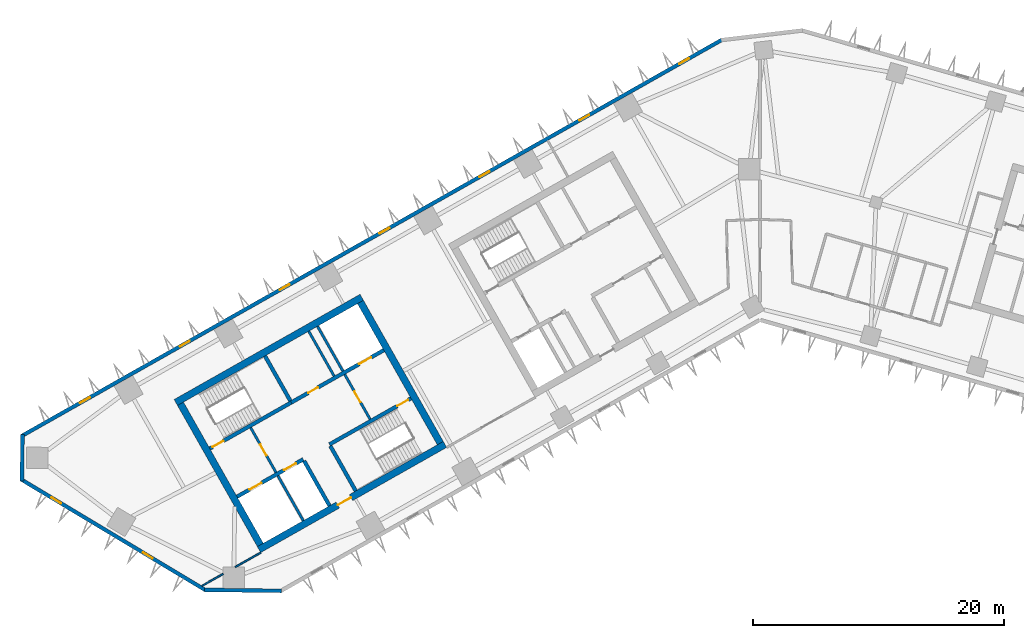
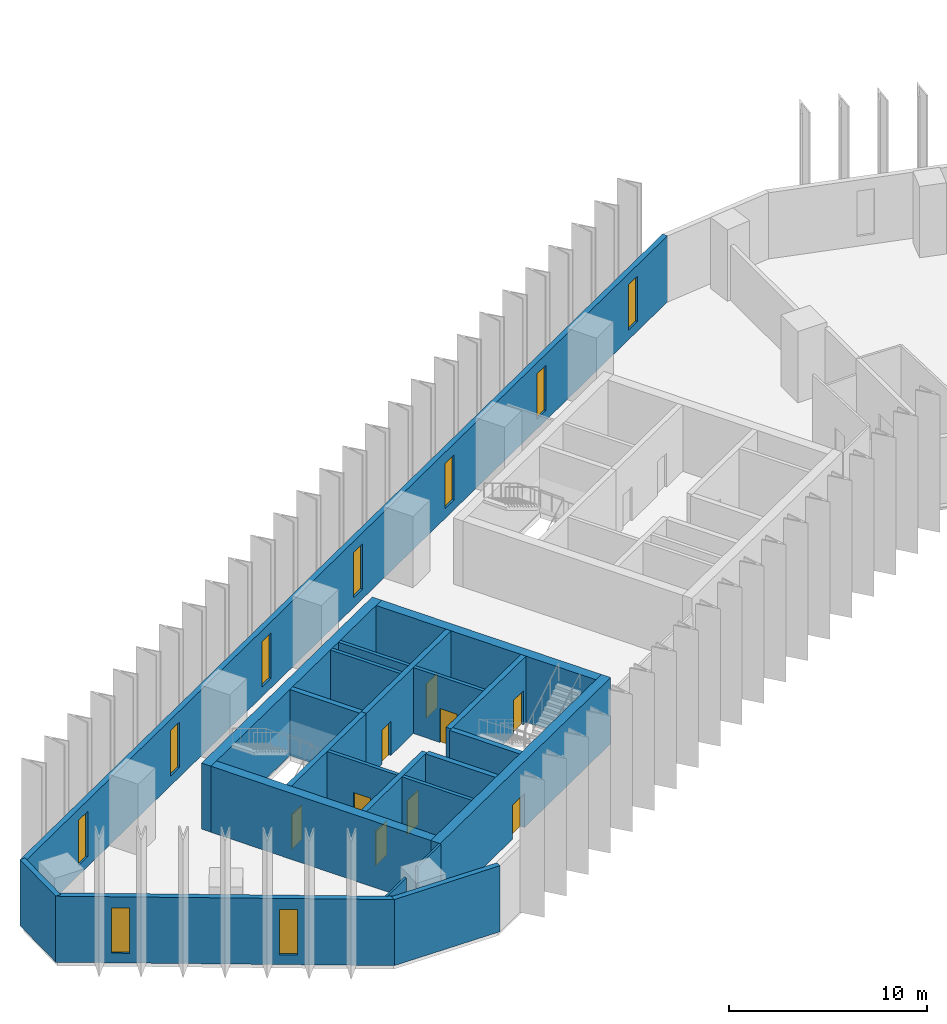
# One storey, part 3 of 11: 22 walls, 9 doors, 9 windows, 18 openings.
"""IFC4 building model written with IfcOpenShell, lengths in metres."""

from ifc_helpers import new_model, si_unit, direction, frame, frame_2d, origin, place, context, subcontext, project, spatial, rectangle, extrude, material, layer, layer_set, type_object, element, fill, save


model = new_model("IFC4")

# Units and contexts
model_context = context("Model", 3, precision=1e-05, world=origin(), true_north=direction((0.0, 1.0)))
body_context = subcontext(model_context, "Body", "Model", "MODEL_VIEW")
ifc_project = project(units=[si_unit("LENGTHUNIT", "METRE"), si_unit("AREAUNIT", "SQUARE_METRE"), si_unit("VOLUMEUNIT", "CUBIC_METRE"), si_unit("PLANEANGLEUNIT", "RADIAN"), si_unit("MASSUNIT", "GRAM", prefix="KILO")], contexts=[model_context])

# Site, building, storey
site_placement = place(None, origin())
site = spatial("IfcSite", under=ifc_project, at=site_placement, CompositionType="ELEMENT")
building_placement = place(site_placement, origin())
building = spatial("IfcBuilding", under=site, at=building_placement, Name="Binnacle Exchange Tower", CompositionType="ELEMENT")
storey_placement = place(building_placement, frame((0.0, 0.0, 123.5)))
storey = spatial("IfcBuildingStorey", under=building, at=storey_placement, Name="L25", CompositionType="ELEMENT", Elevation=123.5)

# Wall, openings, doors
ifc_material_1 = material(Name="Concrete C70/85", Category="concrete")
ifc_layer_1 = layer(ifc_material_1, 0.300048828125)
ifc_layer_set_1 = layer_set([ifc_layer_1], Name="Core wall - front 300")
wall_type_1 = type_object("IfcWallType", Name="Core wall - front 300", PredefinedType="SOLIDWALL", material=ifc_layer_set_1)
wall_1_placement = place(storey_placement, frame((-41.599609375, 33.936279296875, 0.0), z_axis=(0.0, 0.0, 1.0), x_axis=(0.870348557882, 0.492436176365, 0.0)))
wall_1 = element("IfcWall", 1, at=wall_1_placement, inside=storey, type_object=wall_type_1, Name="Core wall CRWA2", PredefinedType="SOLIDWALL", context=body_context, shape_type="SweptSolid", body=[
    extrude(rectangle(XDim=6.050048828125, YDim=0.300048828125, at=frame_2d((3.02490234375, 0.0))), origin(), (0.0, 0.0, 1.0), 4.080078125),
])
opening_1_placement = place(wall_1_placement, frame((1.14990234375, 0.0, 0.0)))
opening_1 = element("IfcOpeningElement", 2, at=opening_1_placement, cuts=wall_1, Name="Opening LD12", PredefinedType="OPENING", context=body_context, shape_type="SweptSolid", body=[
    extrude(rectangle(XDim=1.10009765625, YDim=2.10009765625, at=frame_2d((0.550048828125, 1.050048828125))), frame((0.0, 0.159912109375, 0.0), z_axis=(0.0, -1.0, 0.0), x_axis=(1.0, 0.0, 0.0)), (0.0, 0.0, 1.0), 0.320068359375),
])
opening_2_placement = place(wall_1_placement, frame((4.300048828125, 0.0, 0.0)))
opening_2 = element("IfcOpeningElement", 3, at=opening_2_placement, cuts=wall_1, Name="Opening LD8", PredefinedType="OPENING", context=body_context, shape_type="SweptSolid", body=[
    extrude(rectangle(XDim=1.10009765625, YDim=2.10009765625, at=frame_2d((0.550048828125, 1.050048828125))), frame((0.0, 0.159912109375, 0.0), z_axis=(0.0, -1.0, 0.0), x_axis=(1.0, 0.0, 0.0)), (0.0, 0.0, 1.0), 0.320068359375),
])
ifc_material_2 = material(Name="Steel door leaf", Category="steel")
door_type_1 = type_object("IfcDoorType", Name="Fire door - lift landing 1100", OperationType="NOTDEFINED", PredefinedType="DOOR", material=ifc_material_2)
door_1_placement = place(opening_1_placement, origin())
door_1 = element("IfcDoor", 4, at=door_1_placement, inside=storey, type_object=door_type_1, Name="Landing door LD12 L25", OperationType="DOUBLE_DOOR_SLIDING", OverallHeight=2.10009765625, OverallWidth=1.10009765625, PredefinedType="DOOR", context=body_context, shape_type="SweptSolid", body=[
    extrude(rectangle(XDim=1.10009765625, YDim=2.10009765625, at=frame_2d((0.550048828125, 1.050048828125))), frame((0.0, 0.02490234375, 0.0), z_axis=(0.0, -1.0, 0.0), x_axis=(1.0, 0.0, 0.0)), (0.0, 0.0, 1.0), 0.050048828125),
])
fill(opening_1, door_1)
door_2_placement = place(opening_2_placement, origin())
door_2 = element("IfcDoor", 5, at=door_2_placement, inside=storey, type_object=door_type_1, Name="Landing door LD8 L25", OperationType="DOUBLE_DOOR_SLIDING", OverallHeight=2.10009765625, OverallWidth=1.10009765625, PredefinedType="DOOR", context=body_context, shape_type="SweptSolid", body=[
    extrude(rectangle(XDim=1.10009765625, YDim=2.10009765625, at=frame_2d((0.550048828125, 1.050048828125))), frame((0.0, 0.02490234375, 0.0), z_axis=(0.0, -1.0, 0.0), x_axis=(1.0, 0.0, 0.0)), (0.0, 0.0, 1.0), 0.050048828125),
])
fill(opening_2, door_2)

wall_2_placement = place(storey_placement, frame((-37.281982421875, 41.4345703125, 0.0), z_axis=(0.0, 0.0, 1.0), x_axis=(0.870359895813, 0.492416136779, 0.0)))
wall_2 = element("IfcWall", 6, at=wall_2_placement, inside=storey, type_object=wall_type_1, Name="Core wall CRWA5", PredefinedType="SOLIDWALL", context=body_context, shape_type="SweptSolid", body=[
    extrude(rectangle(XDim=8.449951171875, YDim=0.300048828125, at=frame_2d((4.22509765625, 0.0))), origin(), (0.0, 0.0, 1.0), 4.080078125),
])
opening_3_placement = place(wall_2_placement, frame((6.199951171875, 0.0, 0.0)))
opening_3 = element("IfcOpeningElement", 7, at=opening_3_placement, cuts=wall_2, Name="Opening LD13", PredefinedType="OPENING", context=body_context, shape_type="SweptSolid", body=[
    extrude(rectangle(XDim=1.10009765625, YDim=2.10009765625, at=frame_2d((0.550048828125, 1.050048828125))), frame((0.0, 0.159912109375, 0.0), z_axis=(0.0, -1.0, 0.0), x_axis=(1.0, 0.0, 0.0)), (0.0, 0.0, 1.0), 0.320068359375),
])
opening_4_placement = place(wall_2_placement, frame((1.550048828125, 0.0, 0.0)))
opening_4 = element("IfcOpeningElement", 8, at=opening_4_placement, cuts=wall_2, Name="Opening DA10", PredefinedType="OPENING", context=body_context, shape_type="SweptSolid", body=[
    extrude(rectangle(XDim=0.89990234375, YDim=2.10009765625, at=frame_2d((0.449951171875, 1.050048828125))), frame((0.0, 0.159912109375, 0.0), z_axis=(0.0, -1.0, 0.0), x_axis=(1.0, 0.0, 0.0)), (0.0, 0.0, 1.0), 0.320068359375),
])
door_3_placement = place(opening_3_placement, origin())
door_3 = element("IfcDoor", 9, at=door_3_placement, inside=storey, type_object=door_type_1, Name="Landing door LD13 L25", OperationType="DOUBLE_DOOR_SLIDING", OverallHeight=2.10009765625, OverallWidth=1.10009765625, PredefinedType="DOOR", context=body_context, shape_type="SweptSolid", body=[
    extrude(rectangle(XDim=1.10009765625, YDim=2.10009765625, at=frame_2d((0.550048828125, 1.050048828125))), frame((0.0, 0.02490234375, 0.0), z_axis=(0.0, -1.0, 0.0), x_axis=(1.0, 0.0, 0.0)), (0.0, 0.0, 1.0), 0.050048828125),
])
fill(opening_3, door_3)
door_type_2 = type_object("IfcDoorType", Name="Fire door 900", OperationType="NOTDEFINED", PredefinedType="DOOR", material=ifc_material_2)
door_4_placement = place(opening_4_placement, origin())
door_4 = element("IfcDoor", 10, at=door_4_placement, inside=storey, type_object=door_type_2, Name="Core room door TELECOM RISER ROOM", OperationType="SINGLE_SWING_LEFT", OverallHeight=2.10009765625, OverallWidth=0.89990234375, PredefinedType="DOOR", context=body_context, shape_type="SweptSolid", body=[
    extrude(rectangle(XDim=0.89990234375, YDim=2.10009765625, at=frame_2d((0.449951171875, 1.050048828125))), frame((0.0, 0.02490234375, 0.0), z_axis=(0.0, -1.0, 0.0), x_axis=(1.0, 0.0, 0.0)), (0.0, 0.0, 1.0), 0.050048828125),
])
fill(opening_4, door_4)

# Wall
wall_3_placement = place(storey_placement, frame((-36.260009765625, 36.784912109375, 0.0), z_axis=(0.0, 0.0, 1.0), x_axis=(0.492408451753, -0.87036424366, 0.0)))
element("IfcWall", 11, at=wall_3_placement, inside=storey, type_object=wall_type_1, Name="Core wall CRWA13", PredefinedType="SOLIDWALL", context=body_context, shape_type="SweptSolid", body=[
    extrude(rectangle(XDim=4.099853515625, YDim=0.300048828125, at=frame_2d((2.0498046875, 0.0))), origin(), (0.0, 0.0, 1.0), 4.080078125),
])

# Wall, opening, door
ifc_layer_2 = layer(ifc_material_1, 0.550048828125)
ifc_layer_set_2 = layer_set([ifc_layer_2], Name="Core wall - outer 550")
wall_type_2 = type_object("IfcWallType", Name="Core wall - outer 550", PredefinedType="SOLIDWALL", material=ifc_layer_set_2)
wall_4_placement = place(storey_placement, frame((-39.85009765625, 29.727294921875, 0.0), z_axis=(0.0, 0.0, 1.0), x_axis=(0.870359753402, 0.492416388494, 0.0)))
wall_4 = element("IfcWall", 12, at=wall_4_placement, inside=storey, type_object=wall_type_2, Name="Core wall CRWA1", PredefinedType="SOLIDWALL", context=body_context, shape_type="SweptSolid", body=[
    extrude(rectangle(XDim=17.0, YDim=0.550048828125, at=frame_2d((8.5, 0.0))), origin(), (0.0, 0.0, 1.0), 4.080078125),
])
opening_5_placement = place(wall_4_placement, frame((7.199951171875, 0.0, 0.0)))
opening_5 = element("IfcOpeningElement", 13, at=opening_5_placement, cuts=wall_4, Name="Opening DA7", PredefinedType="OPENING", context=body_context, shape_type="SweptSolid", body=[
    extrude(rectangle(XDim=1.199951171875, YDim=2.10009765625, at=frame_2d((0.60009765625, 1.050048828125))), frame((0.0, 0.284912109375, 0.0), z_axis=(0.0, -1.0, 0.0), x_axis=(1.0, 0.0, 0.0)), (0.0, 0.0, 1.0), 0.570068359375),
])
door_type_3 = type_object("IfcDoorType", Name="Fire door 1200", OperationType="NOTDEFINED", PredefinedType="DOOR", material=ifc_material_2)
door_5_placement = place(opening_5_placement, frame((1.199951171875, 0.0, 0.0), z_axis=(0.0, 0.0, 1.0), x_axis=(-1.0, 0.0, 0.0)))
door_5 = element("IfcDoor", 14, at=door_5_placement, inside=storey, type_object=door_type_3, Name="Lift lobby entrance door core A", OperationType="SINGLE_SWING_RIGHT", OverallHeight=2.10009765625, OverallWidth=1.199951171875, PredefinedType="DOOR", context=body_context, shape_type="SweptSolid", body=[
    extrude(rectangle(XDim=1.199951171875, YDim=2.10009765625, at=frame_2d((0.60009765625, 1.050048828125))), frame((0.0, 0.02490234375, 0.0), z_axis=(0.0, -1.0, 0.0), x_axis=(1.0, 0.0, 0.0)), (0.0, 0.0, 1.0), 0.050048828125),
])
fill(opening_5, door_5)

# Walls
wall_5_placement = place(storey_placement, frame((-46.47314453125, 41.43359375, 0.0), z_axis=(0.0, 0.0, 1.0), x_axis=(0.870359753402, 0.492416388494, 0.0)))
element("IfcWall", 15, at=wall_5_placement, inside=storey, type_object=wall_type_2, Name="Core wall CRWA6", PredefinedType="SOLIDWALL", context=body_context, shape_type="SweptSolid", body=[
    extrude(rectangle(XDim=17.0, YDim=0.550048828125, at=frame_2d((8.5, 0.0))), origin(), (0.0, 0.0, 1.0), 4.080078125),
])
wall_6_placement = place(storey_placement, frame((-46.098388671875, 41.32958984375, 0.0), z_axis=(0.0, 0.0, 1.0), x_axis=(0.492418910884, -0.870358326325, 0.0)))
element("IfcWall", 16, at=wall_6_placement, inside=storey, type_object=wall_type_2, Name="Core wall CRWA7", PredefinedType="SOLIDWALL", context=body_context, shape_type="SweptSolid", body=[
    extrude(rectangle(XDim=12.900146484375, YDim=0.550048828125, at=frame_2d((6.4501953125, 0.0))), origin(), (0.0, 0.0, 1.0), 4.080078125),
])
wall_7_placement = place(storey_placement, frame((-31.781005859375, 49.429931640625, 0.0), z_axis=(0.0, 0.0, 1.0), x_axis=(0.492427022044, -0.870353737259, 0.0)))
element("IfcWall", 17, at=wall_7_placement, inside=storey, type_object=wall_type_2, Name="Core wall CRWA22", PredefinedType="SOLIDWALL", context=body_context, shape_type="SweptSolid", body=[
    extrude(rectangle(XDim=12.89990234375, YDim=0.550048828125, at=frame_2d((6.449951171875, 0.0))), origin(), (0.0, 0.0, 1.0), 4.080078125),
])

# Wall, opening, door
ifc_layer_3 = layer(ifc_material_1, 0.300048828125)
ifc_layer_set_3 = layer_set([ifc_layer_3], Name="Core wall - stair 300")
wall_type_3 = type_object("IfcWallType", Name="Core wall - stair 300", PredefinedType="SOLIDWALL", material=ifc_layer_set_3)
wall_8_placement = place(storey_placement, frame((-34.2451171875, 38.097412109375, 0.0), z_axis=(0.0, 0.0, 1.0), x_axis=(0.870360741098, 0.49241464271, 0.0)))
wall_8 = element("IfcWall", 18, at=wall_8_placement, inside=storey, type_object=wall_type_3, Name="Core wall CRWA3", PredefinedType="SOLIDWALL", context=body_context, shape_type="SweptSolid", body=[
    extrude(rectangle(XDim=7.449951171875, YDim=0.300048828125, at=frame_2d((3.72509765625, 0.0))), origin(), (0.0, 0.0, 1.0), 4.080078125),
])
opening_6_placement = place(wall_8_placement, frame((6.199951171875, 0.0, 0.0)))
opening_6 = element("IfcOpeningElement", 19, at=opening_6_placement, cuts=wall_8, Name="Opening DA2", PredefinedType="OPENING", context=body_context, shape_type="SweptSolid", body=[
    extrude(rectangle(XDim=1.0, YDim=2.10009765625, at=frame_2d((0.5, 1.050048828125))), frame((0.0, 0.159912109375, 0.0), z_axis=(0.0, -1.0, 0.0), x_axis=(1.0, 0.0, 0.0)), (0.0, 0.0, 1.0), 0.320068359375),
])
door_type_4 = type_object("IfcDoorType", Name="Fire door 1000", OperationType="NOTDEFINED", PredefinedType="DOOR", material=ifc_material_2)
door_6_placement = place(opening_6_placement, frame((1.0, 0.0, 0.0), z_axis=(0.0, 0.0, 1.0), x_axis=(-1.0, 0.0, 0.0)))
door_6 = element("IfcDoor", 20, at=door_6_placement, inside=storey, type_object=door_type_4, Name="Stair door ST-A2", OperationType="SINGLE_SWING_LEFT", OverallHeight=2.10009765625, OverallWidth=1.0, PredefinedType="DOOR", context=body_context, shape_type="SweptSolid", body=[
    extrude(rectangle(XDim=1.0, YDim=2.10009765625, at=frame_2d((0.5, 1.050048828125))), frame((0.0, 0.02490234375, 0.0), z_axis=(0.0, -1.0, 0.0), x_axis=(1.0, 0.0, 0.0)), (0.0, 0.0, 1.0), 0.050048828125),
])
fill(opening_6, door_6)

wall_9_placement = place(storey_placement, frame((-43.76611328125, 37.765869140625, 0.0), z_axis=(0.0, 0.0, 1.0), x_axis=(0.870346696097, 0.492439466932, 0.0)))
wall_9 = element("IfcWall", 21, at=wall_9_placement, inside=storey, type_object=wall_type_3, Name="Core wall CRWA4", PredefinedType="SOLIDWALL", context=body_context, shape_type="SweptSolid", body=[
    extrude(rectangle(XDim=7.449951171875, YDim=0.300048828125, at=frame_2d((3.72509765625, 0.0))), origin(), (0.0, 0.0, 1.0), 4.080078125),
])
opening_7_placement = place(wall_9_placement, frame((0.25, 0.0, 0.0)))
opening_7 = element("IfcOpeningElement", 22, at=opening_7_placement, cuts=wall_9, Name="Opening DA1", PredefinedType="OPENING", context=body_context, shape_type="SweptSolid", body=[
    extrude(rectangle(XDim=1.0, YDim=2.10009765625, at=frame_2d((0.5, 1.050048828125))), frame((0.0, 0.159912109375, 0.0), z_axis=(0.0, -1.0, 0.0), x_axis=(1.0, 0.0, 0.0)), (0.0, 0.0, 1.0), 0.320068359375),
])
door_7_placement = place(opening_7_placement, origin())
door_7 = element("IfcDoor", 23, at=door_7_placement, inside=storey, type_object=door_type_4, Name="Stair door ST-A1", OperationType="SINGLE_SWING_LEFT", OverallHeight=2.10009765625, OverallWidth=1.0, PredefinedType="DOOR", context=body_context, shape_type="SweptSolid", body=[
    extrude(rectangle(XDim=1.0, YDim=2.10009765625, at=frame_2d((0.5, 1.050048828125))), frame((0.0, 0.02490234375, 0.0), z_axis=(0.0, -1.0, 0.0), x_axis=(1.0, 0.0, 0.0)), (0.0, 0.0, 1.0), 0.050048828125),
])
fill(opening_7, door_7)

# Walls
for number, where, z_axis, x_axis, name in (
    (24, (-39.375, 45.133544921875, 0.0), (0.0, 0.0, 1.0), (0.492428039142, -0.870353161807, 0.0), "Core wall CRWA14"),
    (25, (-34.171142578125, 37.966796875, 0.0), (0.0, 0.0, 1.0), (0.492382931784, -0.870378681085, 0.0), "Core wall CRWA16"),
):
    element("IfcWall", number, at=place(storey_placement, frame(where, z_axis=z_axis, x_axis=x_axis)), inside=storey, type_object=wall_type_3, Name=name, PredefinedType="SOLIDWALL", context=body_context, shape_type="SweptSolid", body=[
        extrude(rectangle(XDim=4.10009765625, YDim=0.300048828125, at=frame_2d((2.050048828125, 0.0))), origin(), (0.0, 0.0, 1.0), 4.080078125),
    ])

# Wall, openings, windows
ifc_material_3 = material(Name="Bronze aluminium cladding", Category="aluminium")
ifc_layer_4 = layer(ifc_material_3, 0.300048828125)
ifc_layer_set_4 = layer_set([ifc_layer_4], Name="External wall - spandrel 300")
wall_type_4 = type_object("IfcWallType", Name="External wall - spandrel 300", PredefinedType="STANDARD", material=ifc_layer_set_4)
wall_10_placement = place(storey_placement, frame((-58.744873046875, 38.763671875, 0.0), z_axis=(0.0, 0.0, 1.0), x_axis=(0.870355811726, 0.492423355453, 0.0)))
wall_10 = element("IfcWall", 26, at=wall_10_placement, inside=storey, type_object=wall_type_4, Name="External wall EW-F03 L25", PredefinedType="STANDARD", context=body_context, shape_type="SweptSolid", body=[
    extrude(rectangle(XDim=64.025390625, YDim=0.300048828125, at=frame_2d((32.0126953125, 0.0))), origin(), (0.0, 0.0, 1.0), 4.080078125),
])
opening_8_placement = place(wall_10_placement, frame((60.12158203125, 0.0, 0.60009765625)))
opening_8 = element("IfcOpeningElement", 27, at=opening_8_placement, cuts=wall_10, Name="Opening WS2", PredefinedType="OPENING", context=body_context, shape_type="SweptSolid", body=[
    extrude(rectangle(XDim=0.89990234375, YDim=2.800048828125, at=frame_2d((0.449951171875, 1.39990234375))), frame((0.0, 0.159912109375, 0.0), z_axis=(0.0, -1.0, 0.0), x_axis=(1.0, 0.0, 0.0)), (0.0, 0.0, 1.0), 0.320068359375),
])
opening_9_placement = place(wall_10_placement, frame((50.99169921875, 0.0, 0.60009765625)))
opening_9 = element("IfcOpeningElement", 28, at=opening_9_placement, cuts=wall_10, Name="Opening WS2", PredefinedType="OPENING", context=body_context, shape_type="SweptSolid", body=[
    extrude(rectangle(XDim=0.89990234375, YDim=2.800048828125, at=frame_2d((0.449951171875, 1.39990234375))), frame((0.0, 0.159912109375, 0.0), z_axis=(0.0, -1.0, 0.0), x_axis=(1.0, 0.0, 0.0)), (0.0, 0.0, 1.0), 0.320068359375),
])
opening_10_placement = place(wall_10_placement, frame((41.86181640625, 0.0, 0.60009765625)))
opening_10 = element("IfcOpeningElement", 29, at=opening_10_placement, cuts=wall_10, Name="Opening WS2", PredefinedType="OPENING", context=body_context, shape_type="SweptSolid", body=[
    extrude(rectangle(XDim=0.89990234375, YDim=2.800048828125, at=frame_2d((0.449951171875, 1.39990234375))), frame((0.0, 0.159912109375, 0.0), z_axis=(0.0, -1.0, 0.0), x_axis=(1.0, 0.0, 0.0)), (0.0, 0.0, 1.0), 0.320068359375),
])
opening_11_placement = place(wall_10_placement, frame((32.73193359375, 0.0, 0.60009765625)))
opening_11 = element("IfcOpeningElement", 30, at=opening_11_placement, cuts=wall_10, Name="Opening WS2", PredefinedType="OPENING", context=body_context, shape_type="SweptSolid", body=[
    extrude(rectangle(XDim=0.89990234375, YDim=2.800048828125, at=frame_2d((0.449951171875, 1.39990234375))), frame((0.0, 0.159912109375, 0.0), z_axis=(0.0, -1.0, 0.0), x_axis=(1.0, 0.0, 0.0)), (0.0, 0.0, 1.0), 0.320068359375),
])
opening_12_placement = place(wall_10_placement, frame((23.60205078125, 0.0, 0.60009765625)))
opening_12 = element("IfcOpeningElement", 31, at=opening_12_placement, cuts=wall_10, Name="Opening WS2", PredefinedType="OPENING", context=body_context, shape_type="SweptSolid", body=[
    extrude(rectangle(XDim=0.89990234375, YDim=2.800048828125, at=frame_2d((0.449951171875, 1.39990234375))), frame((0.0, 0.159912109375, 0.0), z_axis=(0.0, -1.0, 0.0), x_axis=(1.0, 0.0, 0.0)), (0.0, 0.0, 1.0), 0.320068359375),
])
opening_13_placement = place(wall_10_placement, frame((14.47216796875, 0.0, 0.60009765625)))
opening_13 = element("IfcOpeningElement", 32, at=opening_13_placement, cuts=wall_10, Name="Opening WS2", PredefinedType="OPENING", context=body_context, shape_type="SweptSolid", body=[
    extrude(rectangle(XDim=0.89990234375, YDim=2.800048828125, at=frame_2d((0.449951171875, 1.39990234375))), frame((0.0, 0.159912109375, 0.0), z_axis=(0.0, -1.0, 0.0), x_axis=(1.0, 0.0, 0.0)), (0.0, 0.0, 1.0), 0.320068359375),
])
opening_14_placement = place(wall_10_placement, frame((5.34228515625, 0.0, 0.60009765625)))
opening_14 = element("IfcOpeningElement", 33, at=opening_14_placement, cuts=wall_10, Name="Opening WS2", PredefinedType="OPENING", context=body_context, shape_type="SweptSolid", body=[
    extrude(rectangle(XDim=0.89990234375, YDim=2.800048828125, at=frame_2d((0.449951171875, 1.39990234375))), frame((0.0, 0.159912109375, 0.0), z_axis=(0.0, -1.0, 0.0), x_axis=(1.0, 0.0, 0.0)), (0.0, 0.0, 1.0), 0.320068359375),
])
ifc_material_4 = material(Name="Bronze anodised aluminium frame", Category="aluminium")
window_type = type_object("IfcWindowType", Name="WS2 WINDOW 900x2800", PartitioningType="SINGLE_PANEL", PredefinedType="WINDOW", material=ifc_material_4)
window_1_placement = place(opening_8_placement, origin())
window_1 = element("IfcWindow", 34, at=window_1_placement, inside=storey, type_object=window_type, Name="Window WS2 L25", OverallHeight=2.800048828125, OverallWidth=0.89990234375, PartitioningType="SINGLE_PANEL", PredefinedType="WINDOW", context=body_context, shape_type="SweptSolid", body=[
    extrude(rectangle(XDim=0.89990234375, YDim=2.800048828125, at=frame_2d((0.449951171875, 1.39990234375))), frame((0.0, 0.030029296875, 0.0), z_axis=(0.0, -1.0, 0.0), x_axis=(1.0, 0.0, 0.0)), (0.0, 0.0, 1.0), 0.06005859375),
])
fill(opening_8, window_1)
window_2_placement = place(opening_9_placement, origin())
window_2 = element("IfcWindow", 35, at=window_2_placement, inside=storey, type_object=window_type, Name="Window WS2 L25", OverallHeight=2.800048828125, OverallWidth=0.89990234375, PartitioningType="SINGLE_PANEL", PredefinedType="WINDOW", context=body_context, shape_type="SweptSolid", body=[
    extrude(rectangle(XDim=0.89990234375, YDim=2.800048828125, at=frame_2d((0.449951171875, 1.39990234375))), frame((0.0, 0.030029296875, 0.0), z_axis=(0.0, -1.0, 0.0), x_axis=(1.0, 0.0, 0.0)), (0.0, 0.0, 1.0), 0.06005859375),
])
fill(opening_9, window_2)
window_3_placement = place(opening_10_placement, origin())
window_3 = element("IfcWindow", 36, at=window_3_placement, inside=storey, type_object=window_type, Name="Window WS2 L25", OverallHeight=2.800048828125, OverallWidth=0.89990234375, PartitioningType="SINGLE_PANEL", PredefinedType="WINDOW", context=body_context, shape_type="SweptSolid", body=[
    extrude(rectangle(XDim=0.89990234375, YDim=2.800048828125, at=frame_2d((0.449951171875, 1.39990234375))), frame((0.0, 0.030029296875, 0.0), z_axis=(0.0, -1.0, 0.0), x_axis=(1.0, 0.0, 0.0)), (0.0, 0.0, 1.0), 0.06005859375),
])
fill(opening_10, window_3)
window_4_placement = place(opening_11_placement, origin())
window_4 = element("IfcWindow", 37, at=window_4_placement, inside=storey, type_object=window_type, Name="Window WS2 L25", OverallHeight=2.800048828125, OverallWidth=0.89990234375, PartitioningType="SINGLE_PANEL", PredefinedType="WINDOW", context=body_context, shape_type="SweptSolid", body=[
    extrude(rectangle(XDim=0.89990234375, YDim=2.800048828125, at=frame_2d((0.449951171875, 1.39990234375))), frame((0.0, 0.030029296875, 0.0), z_axis=(0.0, -1.0, 0.0), x_axis=(1.0, 0.0, 0.0)), (0.0, 0.0, 1.0), 0.06005859375),
])
fill(opening_11, window_4)
window_5_placement = place(opening_12_placement, origin())
window_5 = element("IfcWindow", 38, at=window_5_placement, inside=storey, type_object=window_type, Name="Window WS2 L25", OverallHeight=2.800048828125, OverallWidth=0.89990234375, PartitioningType="SINGLE_PANEL", PredefinedType="WINDOW", context=body_context, shape_type="SweptSolid", body=[
    extrude(rectangle(XDim=0.89990234375, YDim=2.800048828125, at=frame_2d((0.449951171875, 1.39990234375))), frame((0.0, 0.030029296875, 0.0), z_axis=(0.0, -1.0, 0.0), x_axis=(1.0, 0.0, 0.0)), (0.0, 0.0, 1.0), 0.06005859375),
])
fill(opening_12, window_5)
window_6_placement = place(opening_13_placement, origin())
window_6 = element("IfcWindow", 39, at=window_6_placement, inside=storey, type_object=window_type, Name="Window WS2 L25", OverallHeight=2.800048828125, OverallWidth=0.89990234375, PartitioningType="SINGLE_PANEL", PredefinedType="WINDOW", context=body_context, shape_type="SweptSolid", body=[
    extrude(rectangle(XDim=0.89990234375, YDim=2.800048828125, at=frame_2d((0.449951171875, 1.39990234375))), frame((0.0, 0.030029296875, 0.0), z_axis=(0.0, -1.0, 0.0), x_axis=(1.0, 0.0, 0.0)), (0.0, 0.0, 1.0), 0.06005859375),
])
fill(opening_13, window_6)
window_7_placement = place(opening_14_placement, origin())
window_7 = element("IfcWindow", 40, at=window_7_placement, inside=storey, type_object=window_type, Name="Window WS2 L25", OverallHeight=2.800048828125, OverallWidth=0.89990234375, PartitioningType="SINGLE_PANEL", PredefinedType="WINDOW", context=body_context, shape_type="SweptSolid", body=[
    extrude(rectangle(XDim=0.89990234375, YDim=2.800048828125, at=frame_2d((0.449951171875, 1.39990234375))), frame((0.0, 0.030029296875, 0.0), z_axis=(0.0, -1.0, 0.0), x_axis=(1.0, 0.0, 0.0)), (0.0, 0.0, 1.0), 0.06005859375),
])
fill(opening_14, window_7)

# Wall
wall_11_placement = place(storey_placement, frame((-58.717041015625, 35.19384765625, 0.0), z_axis=(0.0, 0.0, 1.0), x_axis=(0.013069053407, 0.999914596275, 0.0)))
element("IfcWall", 41, at=wall_11_placement, inside=storey, type_object=wall_type_4, Name="External wall EW-F04 L25", PredefinedType="STANDARD", context=body_context, shape_type="SweptSolid", body=[
    extrude(rectangle(XDim=3.69873046875, YDim=0.300048828125, at=frame_2d((1.849365234375, 0.0))), origin(), (0.0, 0.0, 1.0), 4.080078125),
])

# Wall, openings, windows
wall_12_placement = place(storey_placement, frame((-44.109375, 26.503662109375, 0.0), z_axis=(0.0, 0.0, 1.0), x_axis=(-0.857169502585, 0.515034410344, 0.0)))
wall_12 = element("IfcWall", 42, at=wall_12_placement, inside=storey, type_object=wall_type_4, Name="External wall EW-F05 L25", PredefinedType="STANDARD", context=body_context, shape_type="SweptSolid", body=[
    extrude(rectangle(XDim=17.126708984375, YDim=0.300048828125, at=frame_2d((8.5634765625, 0.0))), origin(), (0.0, 0.0, 1.0), 4.080078125),
])
opening_15_placement = place(wall_12_placement, frame((13.403076171875, 0.0, 0.60009765625)))
opening_15 = element("IfcOpeningElement", 43, at=opening_15_placement, cuts=wall_12, Name="Opening WS2", PredefinedType="OPENING", context=body_context, shape_type="SweptSolid", body=[
    extrude(rectangle(XDim=0.89990234375, YDim=2.800048828125, at=frame_2d((0.449951171875, 1.39990234375))), frame((0.0, 0.159912109375, 0.0), z_axis=(0.0, -1.0, 0.0), x_axis=(1.0, 0.0, 0.0)), (0.0, 0.0, 1.0), 0.320068359375),
])
opening_16_placement = place(wall_12_placement, frame((4.903076171875, 0.0, 0.60009765625)))
opening_16 = element("IfcOpeningElement", 44, at=opening_16_placement, cuts=wall_12, Name="Opening WS2", PredefinedType="OPENING", context=body_context, shape_type="SweptSolid", body=[
    extrude(rectangle(XDim=0.89990234375, YDim=2.800048828125, at=frame_2d((0.449951171875, 1.39990234375))), frame((0.0, 0.159912109375, 0.0), z_axis=(0.0, -1.0, 0.0), x_axis=(1.0, 0.0, 0.0)), (0.0, 0.0, 1.0), 0.320068359375),
])
window_8_placement = place(opening_15_placement, origin())
window_8 = element("IfcWindow", 45, at=window_8_placement, inside=storey, type_object=window_type, Name="Window WS2 L25", OverallHeight=2.800048828125, OverallWidth=0.89990234375, PartitioningType="SINGLE_PANEL", PredefinedType="WINDOW", context=body_context, shape_type="SweptSolid", body=[
    extrude(rectangle(XDim=0.89990234375, YDim=2.800048828125, at=frame_2d((0.449951171875, 1.39990234375))), frame((0.0, 0.030029296875, 0.0), z_axis=(0.0, -1.0, 0.0), x_axis=(1.0, 0.0, 0.0)), (0.0, 0.0, 1.0), 0.06005859375),
])
fill(opening_15, window_8)
window_9_placement = place(opening_16_placement, origin())
window_9 = element("IfcWindow", 46, at=window_9_placement, inside=storey, type_object=window_type, Name="Window WS2 L25", OverallHeight=2.800048828125, OverallWidth=0.89990234375, PartitioningType="SINGLE_PANEL", PredefinedType="WINDOW", context=body_context, shape_type="SweptSolid", body=[
    extrude(rectangle(XDim=0.89990234375, YDim=2.800048828125, at=frame_2d((0.449951171875, 1.39990234375))), frame((0.0, 0.030029296875, 0.0), z_axis=(0.0, -1.0, 0.0), x_axis=(1.0, 0.0, 0.0)), (0.0, 0.0, 1.0), 0.06005859375),
])
fill(opening_16, window_9)

# Wall
wall_13_placement = place(storey_placement, frame((-38.057373046875, 26.44482421875, 0.0), z_axis=(0.0, 0.0, 1.0), x_axis=(-0.999914086342, 0.013108010296, 0.0)))
element("IfcWall", 47, at=wall_13_placement, inside=storey, type_object=wall_type_4, Name="External wall EW-F06 L25", PredefinedType="STANDARD", context=body_context, shape_type="SweptSolid", body=[
    extrude(rectangle(XDim=6.127685546875, YDim=0.300048828125, at=frame_2d((3.06396484375, 0.0))), origin(), (0.0, 0.0, 1.0), 4.080078125),
])

# Wall, opening, door
ifc_material_5 = material(Name="Masonry block wall", Category="masonry")
ifc_layer_5 = layer(ifc_material_5, 0.199951171875)
ifc_layer_set_5 = layer_set([ifc_layer_5], Name="Fire wall - vestibule 200")
wall_type_5 = type_object("IfcWallType", Name="Fire wall - vestibule 200", PredefinedType="PARTITIONING", material=ifc_layer_set_5)
wall_14_placement = place(storey_placement, frame((-40.515625, 39.4326171875, 0.0), z_axis=(0.0, 0.0, 1.0), x_axis=(0.492453559952, -0.87033872216, 0.0)))
wall_14 = element("IfcWall", 48, at=wall_14_placement, inside=storey, type_object=wall_type_5, Name="Core wall CRWA10", PredefinedType="PARTITIONING", context=body_context, shape_type="SweptSolid", body=[
    extrude(rectangle(XDim=4.099853515625, YDim=0.199951171875, at=frame_2d((2.0498046875, 0.0))), origin(), (0.0, 0.0, 1.0), 4.080078125),
])
opening_17_placement = place(wall_14_placement, frame((1.550048828125, 0.0, 0.0)))
opening_17 = element("IfcOpeningElement", 49, at=opening_17_placement, cuts=wall_14, Name="Opening DA3", PredefinedType="OPENING", context=body_context, shape_type="SweptSolid", body=[
    extrude(rectangle(XDim=1.0, YDim=2.10009765625, at=frame_2d((0.5, 1.050048828125))), frame((0.0, 0.10986328125, 0.0), z_axis=(0.0, -1.0, 0.0), x_axis=(1.0, 0.0, 0.0)), (0.0, 0.0, 1.0), 0.219970703125),
])
door_8_placement = place(opening_17_placement, frame((1.0, 0.0, 0.0), z_axis=(0.0, 0.0, 1.0), x_axis=(-1.0, 0.0, 0.0)))
door_8 = element("IfcDoor", 50, at=door_8_placement, inside=storey, type_object=door_type_4, Name="Vestibule door VEST-W", OperationType="SINGLE_SWING_LEFT", OverallHeight=2.10009765625, OverallWidth=1.0, PredefinedType="DOOR", context=body_context, shape_type="SweptSolid", body=[
    extrude(rectangle(XDim=1.0, YDim=2.10009765625, at=frame_2d((0.5, 1.050048828125))), frame((0.0, 0.02490234375, 0.0), z_axis=(0.0, -1.0, 0.0), x_axis=(1.0, 0.0, 0.0)), (0.0, 0.0, 1.0), 0.050048828125),
])
fill(opening_17, door_8)

wall_15_placement = place(storey_placement, frame((-33.030517578125, 43.66748046875, 0.0), z_axis=(0.0, 0.0, 1.0), x_axis=(0.492408451753, -0.87036424366, 0.0)))
wall_15 = element("IfcWall", 51, at=wall_15_placement, inside=storey, type_object=wall_type_5, Name="Core wall CRWA19", PredefinedType="PARTITIONING", context=body_context, shape_type="SweptSolid", body=[
    extrude(rectangle(XDim=4.099853515625, YDim=0.199951171875, at=frame_2d((2.0498046875, 0.0))), origin(), (0.0, 0.0, 1.0), 4.080078125),
])
opening_18_placement = place(wall_15_placement, frame((1.550048828125, 0.0, 0.0)))
opening_18 = element("IfcOpeningElement", 52, at=opening_18_placement, cuts=wall_15, Name="Opening DA4", PredefinedType="OPENING", context=body_context, shape_type="SweptSolid", body=[
    extrude(rectangle(XDim=1.0, YDim=2.10009765625, at=frame_2d((0.5, 1.050048828125))), frame((0.0, 0.10986328125, 0.0), z_axis=(0.0, -1.0, 0.0), x_axis=(1.0, 0.0, 0.0)), (0.0, 0.0, 1.0), 0.219970703125),
])
door_9_placement = place(opening_18_placement, origin())
door_9 = element("IfcDoor", 53, at=door_9_placement, inside=storey, type_object=door_type_4, Name="Vestibule door VEST-E", OperationType="SINGLE_SWING_RIGHT", OverallHeight=2.10009765625, OverallWidth=1.0, PredefinedType="DOOR", context=body_context, shape_type="SweptSolid", body=[
    extrude(rectangle(XDim=1.0, YDim=2.10009765625, at=frame_2d((0.5, 1.050048828125))), frame((0.0, 0.02490234375, 0.0), z_axis=(0.0, -1.0, 0.0), x_axis=(1.0, 0.0, 0.0)), (0.0, 0.0, 1.0), 0.050048828125),
])
fill(opening_18, door_9)

# Walls
ifc_material_6 = material(Name="Gypsum partition")
ifc_layer_6 = layer(ifc_material_6, 0.125)
ifc_layer_set_6 = layer_set([ifc_layer_6], Name="Partition 125")
wall_type_6 = type_object("IfcWallType", Name="Partition 125", PredefinedType="PARTITIONING", material=ifc_layer_set_6)
wall_16_placement = place(storey_placement, frame((-44.385986328125, 26.844970703125, 0.0), z_axis=(0.0, 0.0, 1.0), x_axis=(0.870226201187, 0.492652371118, 0.0)))
element("IfcWall", 54, at=wall_16_placement, inside=storey, type_object=wall_type_6, Name="Partition W01", PredefinedType="PARTITIONING", context=body_context, shape_type="SweptSolid", body=[
    extrude(rectangle(XDim=1.9326171875, YDim=0.125, at=frame_2d((0.96630859375, 0.0))), origin(), (0.0, 0.0, 1.0), 4.080078125),
])
wall_17_placement = place(storey_placement, frame((-41.738037109375, 28.343017578125, 0.0), z_axis=(0.0, 0.0, 1.0), x_axis=(0.870265350095, 0.492583211676, 0.0)))
element("IfcWall", 55, at=wall_17_placement, inside=storey, type_object=wall_type_6, Name="Partition W02", PredefinedType="PARTITIONING", context=body_context, shape_type="SweptSolid", body=[
    extrude(rectangle(XDim=2.324462890625, YDim=0.125, at=frame_2d((1.162109375, 0.0))), origin(), (0.0, 0.0, 1.0), 4.080078125),
])
ifc_layer_7 = layer(ifc_material_5, 0.199951171875)
ifc_layer_set_7 = layer_set([ifc_layer_7], Name="Riser wall 200")
wall_type_7 = type_object("IfcWallType", Name="Riser wall 200", PredefinedType="SOLIDWALL", material=ifc_layer_set_7)
wall_18_placement = place(storey_placement, frame((-35.8935546875, 47.103271484375, 0.0), z_axis=(0.0, 0.0, 1.0), x_axis=(0.492428039142, -0.870353161807, 0.0)))
element("IfcWall", 56, at=wall_18_placement, inside=storey, type_object=wall_type_7, Name="Core wall CRWA18", PredefinedType="SOLIDWALL", context=body_context, shape_type="SweptSolid", body=[
    extrude(rectangle(XDim=4.10009765625, YDim=0.199951171875, at=frame_2d((2.050048828125, 0.0))), origin(), (0.0, 0.0, 1.0), 4.080078125),
])
wall_19_placement = place(storey_placement, frame((-35.197265625, 47.4970703125, 0.0), z_axis=(0.0, 0.0, 1.0), x_axis=(0.492453559952, -0.87033872216, 0.0)))
element("IfcWall", 57, at=wall_19_placement, inside=storey, type_object=wall_type_7, Name="Core wall CRWA20", PredefinedType="SOLIDWALL", context=body_context, shape_type="SweptSolid", body=[
    extrude(rectangle(XDim=4.099853515625, YDim=0.199951171875, at=frame_2d((2.0498046875, 0.0))), origin(), (0.0, 0.0, 1.0), 4.080078125),
])
ifc_layer_8 = layer(ifc_material_5, 0.199951171875)
ifc_layer_set_8 = layer_set([ifc_layer_8], Name="Shaft wall 200")
wall_type_8 = type_object("IfcWallType", Name="Shaft wall 200", PredefinedType="SOLIDWALL", material=ifc_layer_set_8)
wall_20_placement = place(storey_placement, frame((-38.348876953125, 35.603271484375, 0.0), z_axis=(0.0, 0.0, 1.0), x_axis=(0.492382931784, -0.870378681085, 0.0)))
element("IfcWall", 58, at=wall_20_placement, inside=storey, type_object=wall_type_8, Name="Core wall CRWA9", PredefinedType="SOLIDWALL", context=body_context, shape_type="SweptSolid", body=[
    extrude(rectangle(XDim=4.10009765625, YDim=0.199951171875, at=frame_2d((2.050048828125, 0.0))), origin(), (0.0, 0.0, 1.0), 4.080078125),
])

save(model, "model.ifc")
